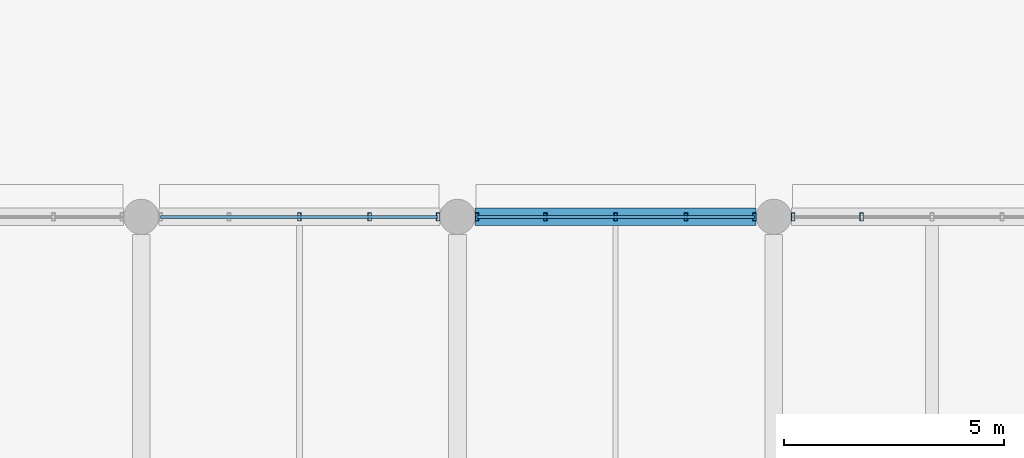
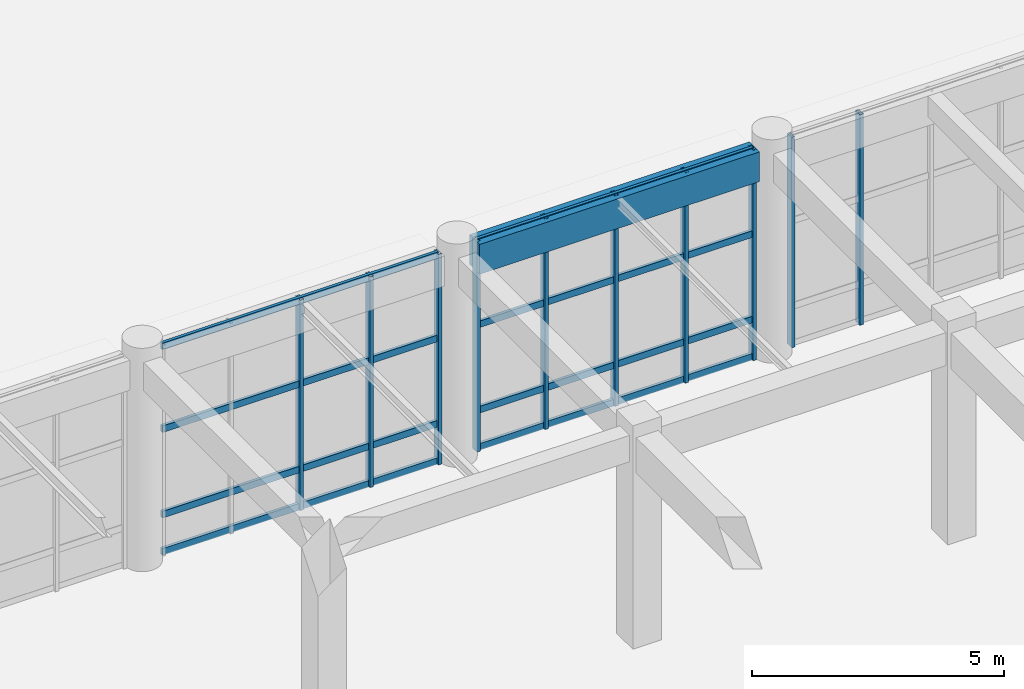
# One storey, part 69 of 160: 18 members, 1 beam, 3 elements without a shape of their own.
"""IFC4 building model written with IfcOpenShell, lengths in metres."""

from ifc_helpers import new_model, si_unit, direction, frame, origin, origin_2d, place, context, subcontext, project, spatial, rectangle, hollow_rectangle, extrude, material, material_profile, profile_set, type_object, element, aggregate, save


model = new_model("IFC4")

# Units and contexts
model_context = context("Model", 3, precision=1e-05, world=origin(), true_north=direction((0.0, 1.0)))
body_context = subcontext(model_context, "Body", "Model", "MODEL_VIEW")
ifc_project = project(units=[si_unit("LENGTHUNIT", "METRE"), si_unit("AREAUNIT", "SQUARE_METRE"), si_unit("VOLUMEUNIT", "CUBIC_METRE"), si_unit("PLANEANGLEUNIT", "RADIAN"), si_unit("MASSUNIT", "GRAM", prefix="KILO")], contexts=[model_context])

# Site, building, storey
site_placement = place(None, origin())
site = spatial("IfcSite", under=ifc_project, at=site_placement, CompositionType="ELEMENT")
building_placement = place(site_placement, origin())
building = spatial("IfcBuilding", under=site, at=building_placement, Name="Thalmaran Polytechnic", CompositionType="ELEMENT")
storey_placement = place(building_placement, origin())
storey = spatial("IfcBuildingStorey", under=building, at=storey_placement, Name="L00", CompositionType="ELEMENT", Elevation=0.0)

# Beam
ifc_material_1 = material(Name="Concrete C40/50", Category="concrete")
ifc_material_profile_1 = material_profile(ifc_material_1, rectangle(XDim=0.39990234375, YDim=0.719970703125, at=origin_2d()), Name="RC 400x720")
ifc_profile_set_1 = profile_set([ifc_material_profile_1], Name="Concrete C40/50")
beam_type = type_object("IfcBeamType", Name="BM-SP01", PredefinedType="SPANDREL", material=ifc_profile_set_1)
beam_placement = place(storey_placement, frame((65.199951171875, 72.0, 4.72998046875), z_axis=(1.0, 0.0, 0.0), x_axis=(0.0, 1.0, 0.0)))
element("IfcBeam", 1, at=beam_placement, inside=storey, type_object=beam_type, Name="Grid Beam SP01 L00 X(9,10)", PredefinedType="SPANDREL", context=body_context, shape_type="SweptSolid", body=[
    extrude(rectangle(XDim=0.39990234375, YDim=0.719970703125, at=origin_2d()), origin(), (0.0, 0.0, 1.0), 6.400146484375),
])

# Curtain wall, members
ifc_material_2 = material(Name="Aluminium 6063-T6", Category="aluminium")
curtain_wall_type = type_object("IfcCurtainWallType", Name="CW-SC01", PredefinedType="USERDEFINED", material=ifc_material_2)
curtain_wall_1_placement = place(storey_placement, origin())
curtain_wall_1 = element("IfcCurtainWall", 2, at=curtain_wall_1_placement, inside=storey, type_object=curtain_wall_type, Name="Curtain Wall CW-L00-031", ObjectType="STICK CURTAIN WALL", PredefinedType="USERDEFINED")
ifc_material_profile_2 = material_profile(ifc_material_2, hollow_rectangle(XDim=0.080078125, YDim=0.179931640625, WallThickness=0.0048828125, at=origin_2d()), Name="RHS 180x80x5.0")
ifc_profile_set_2 = profile_set([ifc_material_profile_2], Name="Aluminium 6063-T6")
member_type_1 = type_object("IfcMemberType", Name="CW-MUL1", PredefinedType="MULLION", material=ifc_profile_set_2)
member_1_placement = place(storey_placement, frame((61.199951171875, 72.0, 0.0), z_axis=(0.0, 0.0, 1.0), x_axis=(1.0, 0.0, 0.0)))
member_1 = element("IfcMember", 3, at=member_1_placement, type_object=member_type_1, Name="CW-L00-031 Mullion 3", PredefinedType="MULLION", context=body_context, shape_type="SweptSolid", body=[
    extrude(hollow_rectangle(XDim=0.080078125, YDim=0.179931640625, WallThickness=0.0048828125, at=origin_2d()), origin(), (0.0, 0.0, 1.0), 5.090087890625),
])
member_2_placement = place(storey_placement, frame((62.800048828125, 72.0, 0.0), z_axis=(0.0, 0.0, 1.0), x_axis=(1.0, 0.0, 0.0)))
member_2 = element("IfcMember", 4, at=member_2_placement, type_object=member_type_1, Name="CW-L00-031 Mullion 4", PredefinedType="MULLION", context=body_context, shape_type="SweptSolid", body=[
    extrude(hollow_rectangle(XDim=0.080078125, YDim=0.179931640625, WallThickness=0.0048828125, at=origin_2d()), origin(), (0.0, 0.0, 1.0), 5.090087890625),
])
member_3_placement = place(storey_placement, frame((64.360107421875, 72.0, 0.0), z_axis=(0.0, 0.0, 1.0), x_axis=(1.0, 0.0, 0.0)))
member_3 = element("IfcMember", 5, at=member_3_placement, type_object=member_type_1, Name="CW-L00-031 Mullion 5", PredefinedType="MULLION", context=body_context, shape_type="SweptSolid", body=[
    extrude(hollow_rectangle(XDim=0.080078125, YDim=0.179931640625, WallThickness=0.0048828125, at=origin_2d()), origin(), (0.0, 0.0, 1.0), 5.090087890625),
])

curtain_wall_2_placement = place(storey_placement, origin())
curtain_wall_2 = element("IfcCurtainWall", 6, at=curtain_wall_2_placement, inside=storey, type_object=curtain_wall_type, Name="Curtain Wall CW-L00-032", ObjectType="STICK CURTAIN WALL", PredefinedType="USERDEFINED")
member_4_placement = place(storey_placement, frame((65.239990234375, 72.0, 0.0), z_axis=(0.0, 0.0, 1.0), x_axis=(1.0, 0.0, 0.0)))
member_4 = element("IfcMember", 7, at=member_4_placement, type_object=member_type_1, Name="CW-L00-032 Mullion 1", PredefinedType="MULLION", context=body_context, shape_type="SweptSolid", body=[
    extrude(hollow_rectangle(XDim=0.080078125, YDim=0.179931640625, WallThickness=0.0048828125, at=origin_2d()), origin(), (0.0, 0.0, 1.0), 5.090087890625),
])
member_5_placement = place(storey_placement, frame((66.800048828125, 72.0, 0.0), z_axis=(0.0, 0.0, 1.0), x_axis=(1.0, 0.0, 0.0)))
member_5 = element("IfcMember", 8, at=member_5_placement, type_object=member_type_1, Name="CW-L00-032 Mullion 2", PredefinedType="MULLION", context=body_context, shape_type="SweptSolid", body=[
    extrude(hollow_rectangle(XDim=0.080078125, YDim=0.179931640625, WallThickness=0.0048828125, at=origin_2d()), origin(), (0.0, 0.0, 1.0), 5.090087890625),
])
member_6_placement = place(storey_placement, frame((68.39990234375, 72.0, 0.0), z_axis=(0.0, 0.0, 1.0), x_axis=(1.0, 0.0, 0.0)))
member_6 = element("IfcMember", 9, at=member_6_placement, type_object=member_type_1, Name="CW-L00-032 Mullion 3", PredefinedType="MULLION", context=body_context, shape_type="SweptSolid", body=[
    extrude(hollow_rectangle(XDim=0.080078125, YDim=0.179931640625, WallThickness=0.0048828125, at=origin_2d()), origin(), (0.0, 0.0, 1.0), 5.090087890625),
])
member_7_placement = place(storey_placement, frame((70.0, 72.0, 0.0), z_axis=(0.0, 0.0, 1.0), x_axis=(1.0, 0.0, 0.0)))
member_7 = element("IfcMember", 10, at=member_7_placement, type_object=member_type_1, Name="CW-L00-032 Mullion 4", PredefinedType="MULLION", context=body_context, shape_type="SweptSolid", body=[
    extrude(hollow_rectangle(XDim=0.080078125, YDim=0.179931640625, WallThickness=0.0048828125, at=origin_2d()), origin(), (0.0, 0.0, 1.0), 5.090087890625),
])
member_8_placement = place(storey_placement, frame((71.56005859375, 72.0, 0.0), z_axis=(0.0, 0.0, 1.0), x_axis=(1.0, 0.0, 0.0)))
member_8 = element("IfcMember", 11, at=member_8_placement, type_object=member_type_1, Name="CW-L00-032 Mullion 5", PredefinedType="MULLION", context=body_context, shape_type="SweptSolid", body=[
    extrude(hollow_rectangle(XDim=0.080078125, YDim=0.179931640625, WallThickness=0.0048828125, at=origin_2d()), origin(), (0.0, 0.0, 1.0), 5.090087890625),
])

curtain_wall_3_placement = place(storey_placement, origin())
curtain_wall_3 = element("IfcCurtainWall", 12, at=curtain_wall_3_placement, inside=storey, type_object=curtain_wall_type, Name="Curtain Wall CW-L00-033", ObjectType="STICK CURTAIN WALL", PredefinedType="USERDEFINED")
member_9_placement = place(storey_placement, frame((72.43994140625, 72.0, 0.0), z_axis=(0.0, 0.0, 1.0), x_axis=(1.0, 0.0, 0.0)))
member_9 = element("IfcMember", 13, at=member_9_placement, type_object=member_type_1, Name="CW-L00-033 Mullion 1", PredefinedType="MULLION", context=body_context, shape_type="SweptSolid", body=[
    extrude(hollow_rectangle(XDim=0.080078125, YDim=0.179931640625, WallThickness=0.0048828125, at=origin_2d()), origin(), (0.0, 0.0, 1.0), 5.090087890625),
])
member_10_placement = place(storey_placement, frame((74.0, 72.0, 0.0), z_axis=(0.0, 0.0, 1.0), x_axis=(1.0, 0.0, 0.0)))
member_10 = element("IfcMember", 14, at=member_10_placement, type_object=member_type_1, Name="CW-L00-033 Mullion 2", PredefinedType="MULLION", context=body_context, shape_type="SweptSolid", body=[
    extrude(hollow_rectangle(XDim=0.080078125, YDim=0.179931640625, WallThickness=0.0048828125, at=origin_2d()), origin(), (0.0, 0.0, 1.0), 5.090087890625),
])
aggregate(curtain_wall_3, [member_9, member_10])

# Member
ifc_material_profile_3 = material_profile(ifc_material_2, hollow_rectangle(XDim=0.070068359375, YDim=0.159912109375, WallThickness=0.00390625, at=origin_2d()), Name="AL 160x70x4.0")
ifc_profile_set_3 = profile_set([ifc_material_profile_3], Name="Aluminium 6063-T6")
member_type_2 = type_object("IfcMemberType", Name="CW-TRN1", PredefinedType="USERDEFINED", material=ifc_profile_set_3)
member_11_placement = place(storey_placement, frame((58.0400390625, 72.0, 0.06005859375), z_axis=(1.0, 0.0, 0.0), x_axis=(0.0, 1.0, 0.0)))
member_11 = element("IfcMember", 15, at=member_11_placement, type_object=member_type_2, Name="CW-L00-031 Transom 1", ObjectType="TRANSOM", PredefinedType="USERDEFINED", context=body_context, shape_type="SweptSolid", body=[
    extrude(hollow_rectangle(XDim=0.070068359375, YDim=0.159912109375, WallThickness=0.00390625, at=origin_2d()), origin(), (0.0, 0.0, 1.0), 6.320068359375),
])

member_12_placement = place(storey_placement, frame((58.0400390625, 72.0, 0.9599609375), z_axis=(1.0, 0.0, 0.0), x_axis=(0.0, 1.0, 0.0)))
member_12 = element("IfcMember", 16, at=member_12_placement, type_object=member_type_2, Name="CW-L00-031 Transom 2", ObjectType="TRANSOM", PredefinedType="USERDEFINED", context=body_context, shape_type="SweptSolid", body=[
    extrude(hollow_rectangle(XDim=0.070068359375, YDim=0.159912109375, WallThickness=0.00390625, at=origin_2d()), origin(), (0.0, 0.0, 1.0), 6.320068359375),
])

member_13_placement = place(storey_placement, frame((58.0400390625, 72.0, 3.02490234375), z_axis=(1.0, 0.0, 0.0), x_axis=(0.0, 1.0, 0.0)))
member_13 = element("IfcMember", 17, at=member_13_placement, type_object=member_type_2, Name="CW-L00-031 Transom 3", ObjectType="TRANSOM", PredefinedType="USERDEFINED", context=body_context, shape_type="SweptSolid", body=[
    extrude(hollow_rectangle(XDim=0.070068359375, YDim=0.159912109375, WallThickness=0.00390625, at=origin_2d()), origin(), (0.0, 0.0, 1.0), 6.320068359375),
])

member_14_placement = place(storey_placement, frame((58.0400390625, 72.0, 5.030029296875), z_axis=(1.0, 0.0, 0.0), x_axis=(0.0, 1.0, 0.0)))
member_14 = element("IfcMember", 18, at=member_14_placement, type_object=member_type_2, Name="CW-L00-031 Transom 4", ObjectType="TRANSOM", PredefinedType="USERDEFINED", context=body_context, shape_type="SweptSolid", body=[
    extrude(hollow_rectangle(XDim=0.070068359375, YDim=0.159912109375, WallThickness=0.00390625, at=origin_2d()), origin(), (0.0, 0.0, 1.0), 6.320068359375),
])

aggregate(curtain_wall_1, [member_1, member_2, member_3, member_11, member_12, member_13, member_14])

member_15_placement = place(storey_placement, frame((65.239990234375, 72.0, 0.06005859375), z_axis=(1.0, 0.0, 0.0), x_axis=(0.0, 1.0, 0.0)))
member_15 = element("IfcMember", 19, at=member_15_placement, type_object=member_type_2, Name="CW-L00-032 Transom 1", ObjectType="TRANSOM", PredefinedType="USERDEFINED", context=body_context, shape_type="SweptSolid", body=[
    extrude(hollow_rectangle(XDim=0.070068359375, YDim=0.159912109375, WallThickness=0.00390625, at=origin_2d()), origin(), (0.0, 0.0, 1.0), 6.320068359375),
])

member_16_placement = place(storey_placement, frame((65.239990234375, 72.0, 0.9599609375), z_axis=(1.0, 0.0, 0.0), x_axis=(0.0, 1.0, 0.0)))
member_16 = element("IfcMember", 20, at=member_16_placement, type_object=member_type_2, Name="CW-L00-032 Transom 2", ObjectType="TRANSOM", PredefinedType="USERDEFINED", context=body_context, shape_type="SweptSolid", body=[
    extrude(hollow_rectangle(XDim=0.070068359375, YDim=0.159912109375, WallThickness=0.00390625, at=origin_2d()), origin(), (0.0, 0.0, 1.0), 6.320068359375),
])

member_17_placement = place(storey_placement, frame((65.239990234375, 72.0, 3.02490234375), z_axis=(1.0, 0.0, 0.0), x_axis=(0.0, 1.0, 0.0)))
member_17 = element("IfcMember", 21, at=member_17_placement, type_object=member_type_2, Name="CW-L00-032 Transom 3", ObjectType="TRANSOM", PredefinedType="USERDEFINED", context=body_context, shape_type="SweptSolid", body=[
    extrude(hollow_rectangle(XDim=0.070068359375, YDim=0.159912109375, WallThickness=0.00390625, at=origin_2d()), origin(), (0.0, 0.0, 1.0), 6.320068359375),
])

member_18_placement = place(storey_placement, frame((65.239990234375, 72.0, 5.030029296875), z_axis=(1.0, 0.0, 0.0), x_axis=(0.0, 1.0, 0.0)))
member_18 = element("IfcMember", 22, at=member_18_placement, type_object=member_type_2, Name="CW-L00-032 Transom 4", ObjectType="TRANSOM", PredefinedType="USERDEFINED", context=body_context, shape_type="SweptSolid", body=[
    extrude(hollow_rectangle(XDim=0.070068359375, YDim=0.159912109375, WallThickness=0.00390625, at=origin_2d()), origin(), (0.0, 0.0, 1.0), 6.320068359375),
])

aggregate(curtain_wall_2, [member_4, member_5, member_6, member_7, member_8, member_15, member_16, member_17, member_18])

save(model, "model.ifc")
